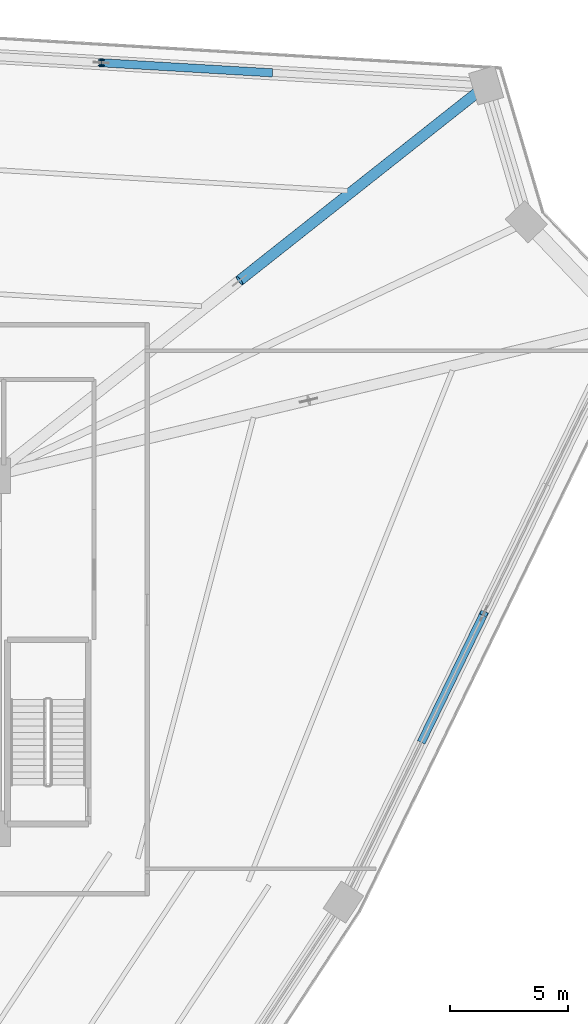
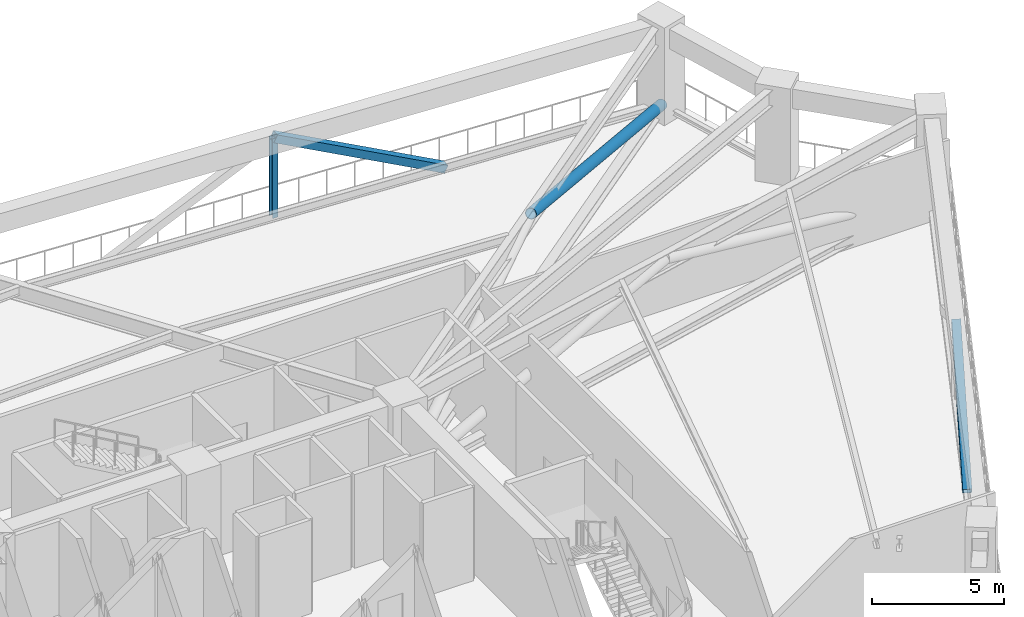
# One storey, part 9 of 23: 4 members.
"""IFC4 building model written with IfcOpenShell, lengths in metres."""

from ifc_helpers import new_model, si_unit, direction, frame, origin, origin_2d, place, context, subcontext, project, spatial, hollow_rectangle, hollow_circle, i_section, extrude, source, transform, mapped, material, material_profile, profile_set, type_object, element, save


model = new_model("IFC4")

# Units and contexts
model_context = context("Model", 3, precision=1e-05, world=origin(), true_north=direction((0.0, 1.0)))
body_context = subcontext(model_context, "Body", "Model", "MODEL_VIEW")
ifc_project = project(units=[si_unit("LENGTHUNIT", "METRE"), si_unit("AREAUNIT", "SQUARE_METRE"), si_unit("VOLUMEUNIT", "CUBIC_METRE"), si_unit("PLANEANGLEUNIT", "RADIAN"), si_unit("MASSUNIT", "GRAM", prefix="KILO")], contexts=[model_context])

# Site, building, storey
site_placement = place(None, origin())
site = spatial("IfcSite", under=ifc_project, at=site_placement, CompositionType="ELEMENT")
building_placement = place(site_placement, origin())
building = spatial("IfcBuilding", under=site, at=building_placement, Name="Liaohun Quay Tower", CompositionType="ELEMENT")
storey_placement = place(building_placement, frame((0.0, 0.0, 139.5)))
storey = spatial("IfcBuildingStorey", under=building, at=storey_placement, Name="L36", CompositionType="ELEMENT", Elevation=139.5)

# Members
ifc_material_1 = material(Name="Steel Q355D", Category="steel")
ifc_material_profile_1 = material_profile(ifc_material_1, i_section(OverallWidth=0.25, OverallDepth=0.25, WebThickness=0.009033203125, FlangeThickness=0.013916015625, at=origin_2d()), Name="HW250x250x9x14")
ifc_profile_set_1 = profile_set([ifc_material_profile_1], Name="Steel Q355D")
member_type_1 = type_object("IfcMemberType", Name="MEM-BLT-PST", PredefinedType="POST", material=ifc_profile_set_1)
shared_shape_1 = source(origin(), body_context, "Body", "SweptSolid", [
    extrude(i_section(OverallWidth=0.25, OverallDepth=0.25, WebThickness=0.009033203125, FlangeThickness=0.013916015625, at=origin_2d()), origin(), (0.0, 0.0, 1.0), 3.669921875),
])
member_1_placement = place(storey_placement, frame((73.60498046875, 79.0400390625, 0.35009765625), z_axis=(0.0, 0.0, 1.0), x_axis=(1.0, 0.0, 0.0)))
element("IfcMember", 1, at=member_1_placement, inside=storey, type_object=member_type_1, Name="L36 Belt Truss Vertical Post BP-1-04", PredefinedType="POST", context=body_context, shape_type="MappedRepresentation", body=[
    mapped(shared_shape_1, transform((0.0, 0.0, 0.0), x_axis=(1.0, 0.0, 0.0), y_axis=(0.0, 1.0, 0.0), z_axis=(0.0, 0.0, 1.0), scale=1.0)),
])
ifc_material_2 = material(Name="Steel Q420D", Category="steel")
ifc_material_profile_2 = material_profile(ifc_material_2, hollow_circle(Radius=0.228515625, WallThickness=0.02001953125, at=origin_2d()), Name="CHS457x20")
ifc_profile_set_2 = profile_set([ifc_material_profile_2], Name="Steel Q420D")
member_type_2 = type_object("IfcMemberType", Name="MEM-OUT-DG1", PredefinedType="BRACE", material=ifc_profile_set_2)
shared_shape_2 = source(origin(), body_context, "Body", "SweptSolid", [
    extrude(hollow_circle(Radius=0.228515625, WallThickness=0.02001953125, at=origin_2d()), origin(), (0.0, 0.0, 1.0), 13.85595703125),
])
member_2_placement = place(storey_placement, frame((79.47998046875, 69.787109375, 4.02001953125), z_axis=(0.756353760635, 0.598144274152, -0.264863013788), x_axis=(-0.620297550598, 0.784366590773, 0.0)))
element("IfcMember", 2, at=member_2_placement, inside=storey, type_object=member_type_2, Name="L36 Outrigger Diagonal OD-04B", PredefinedType="BRACE", context=body_context, shape_type="MappedRepresentation", body=[
    mapped(shared_shape_2, transform((0.0, 0.0, 0.0), x_axis=(1.0, 0.0, 0.0), y_axis=(0.0, 1.0, 0.0), z_axis=(0.0, 0.0, 1.0), scale=1.0)),
])
ifc_material_profile_3 = material_profile(ifc_material_1, hollow_rectangle(XDim=0.35009765625, YDim=0.35009765625, WallThickness=0.01611328125, at=origin_2d()), Name="SHS350x350x16")
ifc_profile_set_3 = profile_set([ifc_material_profile_3], Name="Steel Q355D")
member_type_3 = type_object("IfcMemberType", Name="MEM-BLT-DG2", PredefinedType="BRACE", material=ifc_profile_set_3)
shared_shape_3 = source(origin(), body_context, "Body", "SweptSolid", [
    extrude(hollow_rectangle(XDim=0.35009765625, YDim=0.35009765625, WallThickness=0.01611328125, at=origin_2d()), origin(), (0.0, 0.0, 1.0), 7.0341796875),
])
member_3_placement = place(storey_placement, frame((89.864013671875, 55.64208984375, 4.02001953125), z_axis=(-0.373312262051, -0.767101860902, -0.521720892818), x_axis=(0.899176254834, -0.437586634558, 0.0)))
element("IfcMember", 3, at=member_3_placement, inside=storey, type_object=member_type_3, Name="L36 Belt Truss Diagonal BD-05B", PredefinedType="BRACE", context=body_context, shape_type="MappedRepresentation", body=[
    mapped(shared_shape_3, transform((0.0, 0.0, 0.0), x_axis=(1.0, 0.0, 0.0), y_axis=(0.0, 1.0, 0.0), z_axis=(0.0, 0.0, 1.0), scale=1.0)),
])
shared_shape_4 = source(origin(), body_context, "Body", "SweptSolid", [
    extrude(hollow_rectangle(XDim=0.35009765625, YDim=0.35009765625, WallThickness=0.01611328125, at=origin_2d()), origin(), (0.0, 0.0, 1.0), 8.089111328125),
])
member_4_placement = place(storey_placement, frame((73.60498046875, 79.0400390625, 4.02001953125), z_axis=(0.889607803289, -0.052546469399, -0.453692434234), x_axis=(0.058964235009, 0.998260095862, 0.0)))
element("IfcMember", 4, at=member_4_placement, inside=storey, type_object=member_type_3, Name="L36 Belt Truss Diagonal BD-04B", PredefinedType="BRACE", context=body_context, shape_type="MappedRepresentation", body=[
    mapped(shared_shape_4, transform((0.0, 0.0, 0.0), x_axis=(1.0, 0.0, 0.0), y_axis=(0.0, 1.0, 0.0), z_axis=(0.0, 0.0, 1.0), scale=1.0)),
])

save(model, "model.ifc")
